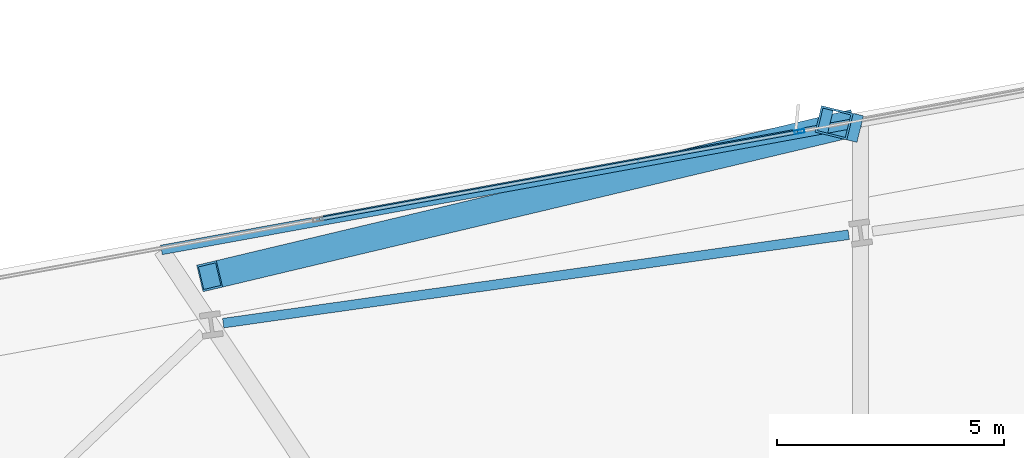
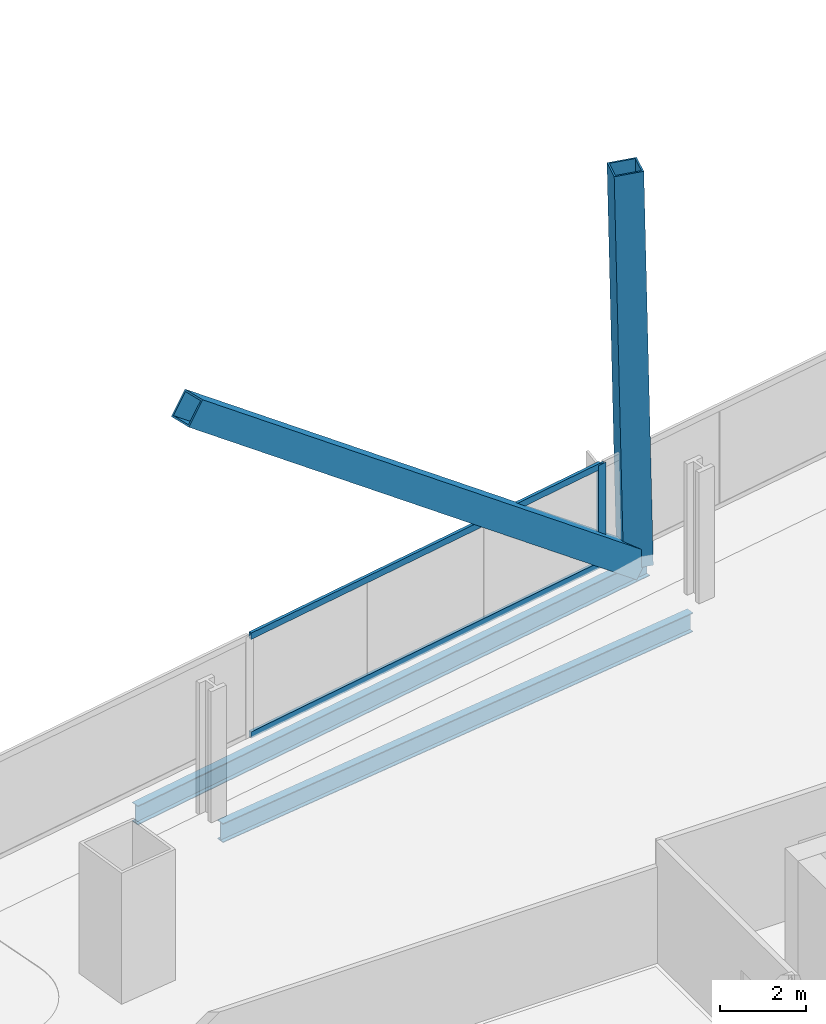
# One storey, part 19 of 34: 5 members, 2 beams, 1 element without a shape of its own.
"""IFC4 building model written with IfcOpenShell, lengths in metres."""

from ifc_helpers import new_model, si_unit, direction, frame, origin, origin_2d, place, context, subcontext, project, spatial, hollow_rectangle, i_section, extrude, material, material_profile, profile_set, type_object, element, aggregate, save


model = new_model("IFC4")

# Units and contexts
model_context = context("Model", 3, precision=1e-05, world=origin(), true_north=direction((0.0, 1.0)))
body_context = subcontext(model_context, "Body", "Model", "MODEL_VIEW")
ifc_project = project(units=[si_unit("LENGTHUNIT", "METRE"), si_unit("AREAUNIT", "SQUARE_METRE"), si_unit("VOLUMEUNIT", "CUBIC_METRE"), si_unit("PLANEANGLEUNIT", "RADIAN"), si_unit("MASSUNIT", "GRAM", prefix="KILO")], contexts=[model_context])

# Site, building, storey
site_placement = place(None, origin())
site = spatial("IfcSite", under=ifc_project, at=site_placement, CompositionType="ELEMENT")
building_placement = place(site_placement, origin())
building = spatial("IfcBuilding", under=site, at=building_placement, Name="Haldenkirk Collegiate Tower", CompositionType="ELEMENT")
storey_placement = place(building_placement, frame((0.0, 0.0, 62.699951171875)))
storey = spatial("IfcBuildingStorey", under=building, at=storey_placement, Name="L14", CompositionType="ELEMENT", Elevation=62.699951171875)

# Beams
ifc_material_1 = material(Name="Steel ASTM A992 Grade 50", Category="steel")
ifc_material_profile_1 = material_profile(ifc_material_1, i_section(OverallWidth=0.2119140625, OverallDepth=0.5439453125, WebThickness=0.01318359375, FlangeThickness=0.021240234375, at=origin_2d()), Name="W21X83")
ifc_profile_set_1 = profile_set([ifc_material_profile_1], Name="Steel ASTM A992 Grade 50")
beam_type = type_object("IfcBeamType", Name="BM-SPANDREL-W21X83", PredefinedType="SPANDREL", material=ifc_profile_set_1)
beam_1_placement = place(storey_placement, frame((32.51025390625, 48.785888671875, -0.58203125), z_axis=(-0.990146197746, -0.14003752029, 0.0), x_axis=(0.14003752029, -0.990146197746, 0.0)))
element("IfcBeam", 1, at=beam_1_placement, inside=storey, type_object=beam_type, Name="L14 perimeter spandrel beam 11", PredefinedType="SPANDREL", context=body_context, shape_type="SweptSolid", body=[
    extrude(i_section(OverallWidth=0.2119140625, OverallDepth=0.5439453125, WebThickness=0.01318359375, FlangeThickness=0.021240234375, at=origin_2d()), origin(), (0.0, 0.0, 1.0), 13.906982421875),
])
beam_2_placement = place(storey_placement, frame((32.772216796875, 51.260986328125, -0.58203125), z_axis=(-0.983730548886, -0.179650235701, 0.0), x_axis=(0.179650235701, -0.983730548886, 0.0)))
element("IfcBeam", 2, at=beam_2_placement, inside=storey, type_object=beam_type, Name="L14 outer facade edge beam 3B", PredefinedType="SPANDREL", context=body_context, shape_type="SweptSolid", body=[
    extrude(i_section(OverallWidth=0.2119140625, OverallDepth=0.5439453125, WebThickness=0.01318359375, FlangeThickness=0.021240234375, at=origin_2d()), origin(), (0.0, 0.0, 1.0), 15.64599609375),
])

# Curtain wall, members
ifc_material_2 = material(Name="Anodised architectural bronze aluminium", Category="aluminium")
curtain_wall_type = type_object("IfcCurtainWallType", Name="CW-SYS1-CONVEX-LOW", PredefinedType="USERDEFINED", material=ifc_material_2)
curtain_wall_placement = place(storey_placement, origin())
curtain_wall = element("IfcCurtainWall", 3, at=curtain_wall_placement, inside=storey, type_object=curtain_wall_type, Name="L14 Lower tower convex bronze-framed unitised curtain wall", ObjectType="UNITISED CURTAIN WALL", PredefinedType="USERDEFINED")
ifc_material_profile_2 = material_profile(ifc_material_2, hollow_rectangle(XDim=0.080078125, YDim=0.219970703125, WallThickness=0.0048828125, at=origin_2d()), Name="CW-MUL-1A")
ifc_profile_set_2 = profile_set([ifc_material_profile_2], Name="Anodised architectural bronze aluminium")
member_type_1 = type_object("IfcMemberType", Name="CW-MUL-1A", PredefinedType="MULLION", material=ifc_profile_set_2)
member_1_placement = place(storey_placement, frame((31.424072265625, 51.0556640625, 0.0), z_axis=(0.0, 0.0, 1.0), x_axis=(-0.179659417405, 0.983728872067, 0.0)))
member_1 = element("IfcMember", 4, at=member_1_placement, type_object=member_type_1, Name="CW-1A mullion 3", PredefinedType="MULLION", context=body_context, shape_type="SweptSolid", body=[
    extrude(hollow_rectangle(XDim=0.080078125, YDim=0.219970703125, WallThickness=0.0048828125, at=origin_2d()), origin(), (0.0, 0.0, 1.0), 2.89111328125),
])
ifc_material_profile_3 = material_profile(ifc_material_2, hollow_rectangle(XDim=0.080078125, YDim=0.179931640625, WallThickness=0.0048828125, at=origin_2d()), Name="CW-TRN-1A")
ifc_profile_set_3 = profile_set([ifc_material_profile_3], Name="Anodised architectural bronze aluminium")
member_type_2 = type_object("IfcMemberType", Name="CW-TRN-1A", PredefinedType="USERDEFINED", material=ifc_profile_set_3)
member_2_placement = place(storey_placement, frame((20.86376953125, 49.126953125, 0.0400390625), z_axis=(0.983730088908, 0.179652754437, 0.0), x_axis=(-0.179652754437, 0.983730088908, 0.0)))
member_2 = element("IfcMember", 5, at=member_2_placement, type_object=member_type_2, Name="CW-1A transom 2.1", ObjectType="TRANSOM", PredefinedType="USERDEFINED", context=body_context, shape_type="SweptSolid", body=[
    extrude(hollow_rectangle(XDim=0.080078125, YDim=0.179931640625, WallThickness=0.0048828125, at=origin_2d()), origin(), (0.0, 0.0, 1.0), 10.695068359375),
])
member_3_placement = place(storey_placement, frame((20.86376953125, 49.126953125, 2.85107421875), z_axis=(0.983730088908, 0.179652754437, 0.0), x_axis=(-0.179652754437, 0.983730088908, 0.0)))
member_3 = element("IfcMember", 6, at=member_3_placement, type_object=member_type_2, Name="CW-1A transom 2.2", ObjectType="TRANSOM", PredefinedType="USERDEFINED", context=body_context, shape_type="SweptSolid", body=[
    extrude(hollow_rectangle(XDim=0.080078125, YDim=0.179931640625, WallThickness=0.0048828125, at=origin_2d()), origin(), (0.0, 0.0, 1.0), 10.695068359375),
])
aggregate(curtain_wall, [member_1, member_2, member_3])

# Members
ifc_material_3 = material(Name="Steel ASTM A572 Grade 50", Category="steel")
ifc_material_profile_4 = material_profile(ifc_material_3, hollow_rectangle(XDim=0.60009765625, YDim=0.719970703125, WallThickness=0.044921875, at=origin_2d()), Name="BOX720X600X45")
ifc_profile_set_4 = profile_set([ifc_material_profile_4], Name="Steel ASTM A572 Grade 50")
member_type_3 = type_object("IfcMemberType", Name="MBR-MEGABRACE-BOX720X600X45", PredefinedType="BRACE", material=ifc_profile_set_4)
member_4_placement = place(storey_placement, frame((32.413330078125, 51.195556640625, -0.320068359375), z_axis=(-0.019896001491, 0.004838395128, 0.999790347552), x_axis=(-0.23629750111, -0.971680755685, 0.0)))
element("IfcMember", 7, at=member_4_placement, inside=storey, type_object=member_type_3, Name="Perimeter Mega Brace Z1 L14-L16 NL", PredefinedType="BRACE", context=body_context, shape_type="SweptSolid", body=[
    extrude(hollow_rectangle(XDim=0.60009765625, YDim=0.719970703125, WallThickness=0.044921875, at=origin_2d()), origin(), (0.0, 0.0, 1.0), 11.25244140625),
])
member_5_placement = place(storey_placement, frame((32.413330078125, 51.195556640625, -0.320068359375), z_axis=(-0.76584226892, -0.182119068843, 0.616699492378), x_axis=(0.231350835876, -0.972870387431, 0.0)))
element("IfcMember", 8, at=member_5_placement, inside=storey, type_object=member_type_3, Name="Perimeter Mega Brace Z1 L14-L16 NR", PredefinedType="BRACE", context=body_context, shape_type="SweptSolid", body=[
    extrude(hollow_rectangle(XDim=0.60009765625, YDim=0.719970703125, WallThickness=0.044921875, at=origin_2d()), origin(), (0.0, 0.0, 1.0), 18.2421875),
])

save(model, "model.ifc")
